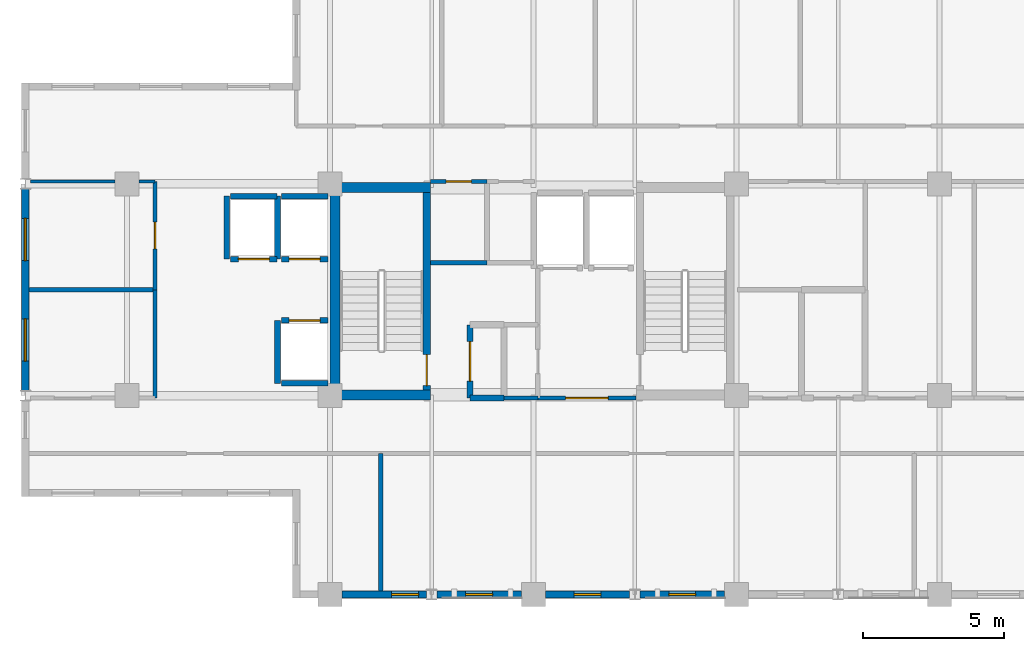
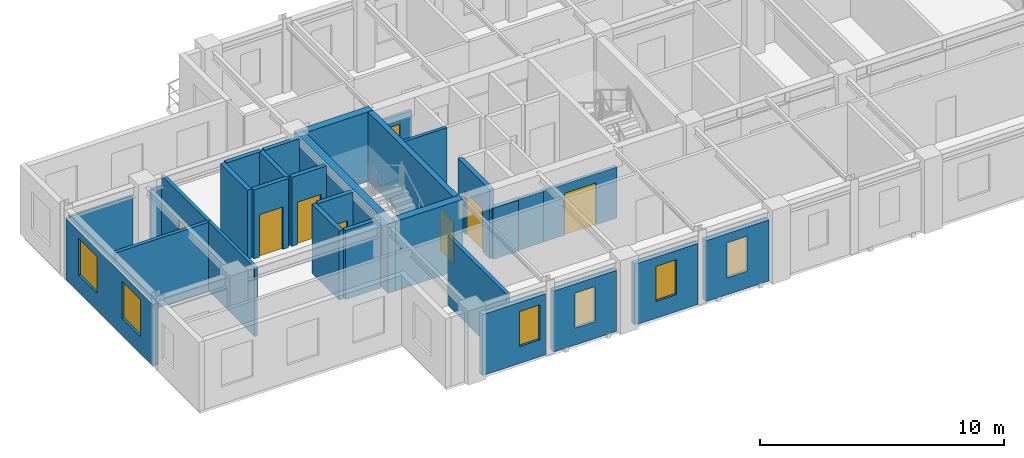
# One storey, part 6 of 10: 30 walls, 8 doors, 6 windows, 14 openings.
"""IFC4 building model written with IfcOpenShell, lengths in metres."""

import ifcopenshell
import ifcopenshell.guid

model = None  # the IFC model being written
_history = None  # IfcOwnerHistory: only IFC2X3 demands one
_inside = {}  # id of a spatial element -> (the spatial element, [elements in it])
_under = {}  # id of a project, library or spatial element -> (it, [spatial elements below it])
_declared = {}  # id of a project -> (the project, [libraries it declares])
_typed = {}  # id of a type object -> (the type object, [elements of that type])
_made_of = {}  # id of a material, layer set ... -> (it, [elements and type objects made of it])


def new_model(schema):
    """Start an empty IFC model of exactly this schema.

    Asked for "IFC4X3", IfcOpenShell would pick the latest addendum, in which some entities
    have other attributes; the version numbers below select the first issue.
    IFC2X3 requires an IfcOwnerHistory on every rooted entity: one is made here for all.
    """
    global model, _history
    if schema == "IFC4X3":
        model = ifcopenshell.file(schema_version=(4, 3, 0, 0))
    else:
        model = ifcopenshell.file(schema=schema)
    _inside.clear()
    _under.clear()
    _declared.clear()
    _typed.clear()
    _made_of.clear()
    _history = None
    if model.schema == "IFC2X3":
        org = make("IfcOrganization", Name="unknown")
        user = make(
            "IfcPersonAndOrganization",
            ThePerson=make("IfcPerson", FamilyName="unknown"),
            TheOrganization=org,
        )
        app = make(
            "IfcApplication",
            ApplicationDeveloper=org,
            Version="unknown",
            ApplicationFullName="unknown",
            ApplicationIdentifier="unknown",
        )
        _history = make(
            "IfcOwnerHistory",
            OwningUser=user,
            OwningApplication=app,
            ChangeAction="ADDED",
            CreationDate=0,
        )
    return model


def make(cls, **values):
    """One entity of the class cls with the attributes given. An attribute that is None is left unset."""
    return model.create_entity(
        cls, **{name: value for name, value in values.items() if value is not None}
    )


def rooted(cls, **values):
    """An entity with a GlobalId (a new one), such as an element, a storey or a relation."""
    return make(cls, GlobalId=ifcopenshell.guid.new(), OwnerHistory=_history, **values)


def si_unit(unit_type, name, prefix=None):
    """IfcSIUnit, for example si_unit("LENGTHUNIT", "METRE", prefix="MILLI")."""
    return make("IfcSIUnit", UnitType=unit_type, Prefix=prefix, Name=name)


def assignment(units):
    """IfcUnitAssignment: the units of a project."""
    return None if units is None else make("IfcUnitAssignment", Units=units)


def point(xyz):
    """IfcCartesianPoint."""
    return None if xyz is None else make("IfcCartesianPoint", Coordinates=xyz)


def direction(xyz):
    """IfcDirection."""
    return None if xyz is None else make("IfcDirection", DirectionRatios=xyz)


def frame(location, z_axis=None, x_axis=None):
    """IfcAxis2Placement3D, a coordinate frame: its origin and axes. An axis left out is left unset."""
    return make(
        "IfcAxis2Placement3D",
        Location=point(location),
        Axis=direction(z_axis),
        RefDirection=direction(x_axis),
    )


def frame_2d(location, x_axis=None):
    """IfcAxis2Placement2D, a coordinate frame in the plane: its origin and x axis."""
    return make(
        "IfcAxis2Placement2D", Location=point(location), RefDirection=direction(x_axis)
    )


def origin():
    """The frame at (0, 0, 0) with its axes left unset."""
    return frame((0.0, 0.0, 0.0))


def place(relative_to, where):
    """IfcLocalPlacement: puts the frame where relative to a parent placement (None: the world)."""
    return make(
        "IfcLocalPlacement", PlacementRelTo=relative_to, RelativePlacement=where
    )


def context(
    kind, dimensions, precision=None, world=None, true_north=None, identifier=None
):
    """IfcGeometricRepresentationContext, for example the 3D "Model" context."""
    return make(
        "IfcGeometricRepresentationContext",
        ContextIdentifier=identifier,
        ContextType=kind,
        CoordinateSpaceDimension=dimensions,
        Precision=precision,
        WorldCoordinateSystem=world,
        TrueNorth=true_north,
    )


def subcontext(parent, identifier, kind, view, scale=None):
    """IfcGeometricRepresentationSubContext, for example "Body" below "Model"."""
    return make(
        "IfcGeometricRepresentationSubContext",
        ContextIdentifier=identifier,
        ContextType=kind,
        ParentContext=parent,
        TargetScale=scale,
        TargetView=view,
    )


def project(units=None, contexts=None):
    """IfcProject with its units and contexts."""
    return rooted(
        "IfcProject",
        Name="project",
        RepresentationContexts=contexts,
        UnitsInContext=assignment(units),
    )


def spatial(cls, under=None, at=None, **own):
    """A site, building, storey or space (cls), placed at a placement, below another one or the project."""
    s = rooted(cls, ObjectPlacement=at, **own)
    if under is not None:
        _under.setdefault(under.id(), (under, []))[1].append(s)
    return s


def profile(cls, at=None, kind="AREA", **sizes):
    """A parametric profile (cls). Its sizes go by their IFC names, for example OverallWidth=200.0."""
    return make(cls, ProfileType=kind, Position=at, **sizes)


def rectangle(**sizes):
    """IfcRectangleProfileDef."""
    return profile("IfcRectangleProfileDef", **sizes)


def extrude(swept, where, along, depth):
    """IfcExtrudedAreaSolid: the profile swept, set in the frame where, extruded along a direction by depth."""
    return make(
        "IfcExtrudedAreaSolid",
        SweptArea=swept,
        Position=where,
        ExtrudedDirection=direction(along),
        Depth=depth,
    )


def shape(context_of_items, identifier, shape_type, items):
    """IfcShapeRepresentation: the items that make up one representation, for example the "Body"."""
    return make(
        "IfcShapeRepresentation",
        ContextOfItems=context_of_items,
        RepresentationIdentifier=identifier,
        RepresentationType=shape_type,
        Items=items,
    )


def material(Name=None, Category=None):
    """IfcMaterial."""
    return make("IfcMaterial", Name=Name, Category=Category)


def layer(
    of_material, thickness, ventilated=None, Name=None, Category=None, Priority=None
):
    """IfcMaterialLayer: one layer of a wall or slab, of a material (None: an air gap)."""
    return make(
        "IfcMaterialLayer",
        Material=of_material,
        LayerThickness=thickness,
        IsVentilated=ventilated,
        Name=Name,
        Category=Category,
        Priority=Priority,
    )


def layer_set(layers, Name=None):
    """IfcMaterialLayerSet."""
    return make("IfcMaterialLayerSet", MaterialLayers=layers, LayerSetName=Name)


def made_of(thing, what):
    """Note that an element or type object is made of a material, layer set ...; save() writes the relation."""
    if what is not None:
        _made_of.setdefault(what.id(), (what, []))[1].append(thing)
    return thing


def type_object(cls, material=None, **own):
    """A type object (cls), such as IfcWallType, which elements share."""
    return made_of(rooted(cls, **own), material)


def element(
    cls,
    number,
    at=None,
    inside=None,
    cuts=None,
    type_object=None,
    material=None,
    context=None,
    identifier="Body",
    shape_type=None,
    held_by="IfcProductDefinitionShape",
    body=None,
    shapes=None,
    **own,
):
    """One element of the class cls, such as IfcWall. Its Tag is "e" and its number.

    at: its placement. inside: the storey or other place that contains it. cuts: it is an
    opening in that element (IfcRelVoidsElement). A single representation is given by context,
    identifier, shape_type and body (its items); several are given by shapes. held_by: the class
    of the entity that holds the representations. save() writes the other relations.
    """
    e = rooted(cls, Tag="e%d" % number, ObjectPlacement=at, **own)
    if body is not None:
        shapes = [shape(context, identifier, shape_type, body)]
    if shapes is not None:
        e.Representation = make(held_by, Representations=shapes)
    if inside is not None:
        _inside.setdefault(inside.id(), (inside, []))[1].append(e)
    if cuts is not None:
        rooted(
            "IfcRelVoidsElement", RelatingBuildingElement=cuts, RelatedOpeningElement=e
        )
    if type_object is not None:
        _typed.setdefault(type_object.id(), (type_object, []))[1].append(e)
    return made_of(e, material)


def fill(opening, filler):
    """IfcRelFillsElement: the door or window that sits in an opening."""
    return rooted(
        "IfcRelFillsElement",
        RelatingOpeningElement=opening,
        RelatedBuildingElement=filler,
    )


def aggregate(whole, parts):
    """IfcRelAggregates: a whole, such as a stair, and the parts it consists of."""
    return rooted("IfcRelAggregates", RelatingObject=whole, RelatedObjects=parts)


def save(model, path):
    """Write the relations noted so far, then the file.

    IfcRelAggregates (storeys below a building ...), IfcRelContainedInSpatialStructure (elements
    in a storey), IfcRelDefinesByType, IfcRelAssociatesMaterial and IfcRelDeclares: one each for
    every whole, place, type object, material and project.
    """
    for whole, parts in _under.values():
        aggregate(whole, parts)
    for where, things in _inside.values():
        rooted(
            "IfcRelContainedInSpatialStructure",
            RelatedElements=things,
            RelatingStructure=where,
        )
    for kind, things in _typed.values():
        rooted("IfcRelDefinesByType", RelatedObjects=things, RelatingType=kind)
    for what, things in _made_of.values():
        rooted("IfcRelAssociatesMaterial", RelatedObjects=things, RelatingMaterial=what)
    for by, libraries in _declared.values():
        rooted("IfcRelDeclares", RelatingContext=by, RelatedDefinitions=libraries)
    model.write(path)


model = new_model("IFC4")

# Units and contexts
model_context = context("Model", 3, precision=1e-05, world=origin(), true_north=direction((0.0, 1.0)))
body_context = subcontext(model_context, "Body", "Model", "MODEL_VIEW")
ifc_project = project(units=[si_unit("LENGTHUNIT", "METRE"), si_unit("AREAUNIT", "SQUARE_METRE"), si_unit("VOLUMEUNIT", "CUBIC_METRE"), si_unit("PLANEANGLEUNIT", "RADIAN"), si_unit("MASSUNIT", "GRAM", prefix="KILO")], contexts=[model_context])

# Site, building, storey
site_placement = place(None, origin())
site = spatial("IfcSite", under=ifc_project, at=site_placement, CompositionType="ELEMENT")
building_placement = place(site_placement, origin())
building = spatial("IfcBuilding", under=site, at=building_placement, Name="Kaliganga Portal Commons", CompositionType="ELEMENT")
storey_placement = place(building_placement, frame((0.0, 0.0, 279.5)))
storey = spatial("IfcBuildingStorey", under=building, at=storey_placement, Name="L72", CompositionType="ELEMENT", Elevation=279.5)

# Walls
ifc_material_1 = material(Name="Concrete C50/60", Category="concrete")
ifc_layer_1 = layer(ifc_material_1, 0.35009765625)
ifc_layer_set_1 = layer_set([ifc_layer_1], Name="Concrete C50/60")
wall_type_1 = type_object("IfcWallType", Name="WL-CORE-350", PredefinedType="SHEAR", material=ifc_layer_set_1)
wall_1_placement = place(storey_placement, frame((14.574951171875, 28.5, 0.0), z_axis=(0.0, 0.0, 1.0), x_axis=(0.0, 1.0, 0.0)))
element("IfcWall", 1, at=wall_1_placement, inside=storey, type_object=wall_type_1, Name="Core A West Shear Wall L72", PredefinedType="SHEAR", context=body_context, shape_type="SweptSolid", body=[
    extrude(rectangle(XDim=7.699951171875, YDim=0.35009765625, at=frame_2d((3.85009765625, 0.0))), origin(), (0.0, 0.0, 1.0), 3.47509765625),
])
for number, where, z_axis, x_axis, name in (
    (2, (14.75, 28.675048828125, 0.0), (0.0, 0.0, 1.0), (1.0, 0.0, 0.0), "Core A S-West Shear Wall L72"),
    (3, (14.75, 36.02490234375, 0.0), (0.0, 0.0, 1.0), (1.0, 0.0, 0.0), "Core A N-West Shear Wall L72"),
):
    element("IfcWall", number, at=place(storey_placement, frame(where, z_axis=z_axis, x_axis=x_axis)), inside=storey, type_object=wall_type_1, Name=name, PredefinedType="SHEAR", context=body_context, shape_type="SweptSolid", body=[
        extrude(rectangle(XDim=3.199951171875, YDim=0.35009765625, at=frame_2d((1.60009765625, 0.0))), origin(), (0.0, 0.0, 1.0), 3.47509765625),
    ])

# Wall, opening, window
ifc_material_2 = material(Name="Insulated Aluminium-Clad Spandrel Assembly", Category="aluminium")
ifc_layer_2 = layer(ifc_material_2, 0.260009765625)
ifc_layer_set_2 = layer_set([ifc_layer_2], Name="Insulated Aluminium-Clad Spandrel Assembly")
wall_type_2 = type_object("IfcWallType", Name="WL-EXT-SPAND-260", PredefinedType="STANDARD", material=ifc_layer_set_2)
wall_2_placement = place(storey_placement, frame((17.81201171875, 21.60009765625, 0.0), z_axis=(0.0, 0.0, 1.0), x_axis=(-1.0, 0.0, 0.0)))
wall_2 = element("IfcWall", 4, at=wall_2_placement, inside=storey, type_object=wall_type_2, Name="Exterior Envelope Wall L72 P1-E00-S2", PredefinedType="STANDARD", context=body_context, shape_type="SweptSolid", body=[
    extrude(rectangle(XDim=2.986083984375, YDim=0.260009765625, at=frame_2d((1.4931640625, 0.0))), origin(), (0.0, 0.0, 1.0), 3.054931640625),
])
opening_1_placement = place(wall_2_placement, frame((0.277587890625, 0.0, 0.85009765625)))
opening_1 = element("IfcOpeningElement", 5, at=opening_1_placement, cuts=wall_2, Name="Opening W-04", PredefinedType="OPENING", context=body_context, shape_type="SweptSolid", body=[
    extrude(rectangle(XDim=0.949951171875, YDim=1.75, at=frame_2d((0.47509765625, 0.875))), frame((0.0, 0.14013671875, 0.0), z_axis=(0.0, -1.0, 0.0), x_axis=(1.0, 0.0, 0.0)), (0.0, 0.0, 1.0), 0.280029296875),
])
ifc_material_3 = material(Name="Thermally Broken Aluminium and Low-E Double Glazing", Category="aluminium")
window_type_1 = type_object("IfcWindowType", Name="WIN-NARROW-950", PartitioningType="SINGLE_PANEL", PredefinedType="WINDOW", material=ifc_material_3)
window_1_placement = place(opening_1_placement, origin())
window_1 = element("IfcWindow", 6, at=window_1_placement, inside=storey, type_object=window_type_1, Name="Facade Window L72-P1E00S2-N1", OverallHeight=1.75, OverallWidth=0.949951171875, PartitioningType="SINGLE_PANEL", PredefinedType="WINDOW", context=body_context, shape_type="SweptSolid", body=[
    extrude(rectangle(XDim=0.949951171875, YDim=1.75, at=frame_2d((0.47509765625, 0.875))), frame((0.0, 0.030029296875, 0.0), z_axis=(0.0, -1.0, 0.0), x_axis=(1.0, 0.0, 0.0)), (0.0, 0.0, 1.0), 0.06005859375),
])
fill(opening_1, window_1)

wall_3_placement = place(storey_placement, frame((21.174072265625, 21.60009765625, 0.0), z_axis=(0.0, 0.0, 1.0), x_axis=(-1.0, 0.0, 0.0)))
wall_3 = element("IfcWall", 7, at=wall_3_placement, inside=storey, type_object=wall_type_2, Name="Exterior Envelope Wall L72 P1-E00-S3", PredefinedType="STANDARD", context=body_context, shape_type="SweptSolid", body=[
    extrude(rectangle(XDim=2.986083984375, YDim=0.260009765625, at=frame_2d((1.4931640625, 0.0))), origin(), (0.0, 0.0, 1.0), 3.054931640625),
])
opening_2_placement = place(wall_3_placement, frame((1.01806640625, 0.0, 0.85009765625)))
opening_2 = element("IfcOpeningElement", 8, at=opening_2_placement, cuts=wall_3, Name="Opening W-04", PredefinedType="OPENING", context=body_context, shape_type="SweptSolid", body=[
    extrude(rectangle(XDim=0.949951171875, YDim=1.75, at=frame_2d((0.47509765625, 0.875))), frame((0.0, 0.14013671875, 0.0), z_axis=(0.0, -1.0, 0.0), x_axis=(1.0, 0.0, 0.0)), (0.0, 0.0, 1.0), 0.280029296875),
])
window_2_placement = place(opening_2_placement, origin())
window_2 = element("IfcWindow", 9, at=window_2_placement, inside=storey, type_object=window_type_1, Name="Facade Window L72-P1E00S3-00", OverallHeight=1.75, OverallWidth=0.949951171875, PartitioningType="SINGLE_PANEL", PredefinedType="WINDOW", context=body_context, shape_type="SweptSolid", body=[
    extrude(rectangle(XDim=0.949951171875, YDim=1.75, at=frame_2d((0.47509765625, 0.875))), frame((0.0, 0.030029296875, 0.0), z_axis=(0.0, -1.0, 0.0), x_axis=(1.0, 0.0, 0.0)), (0.0, 0.0, 1.0), 0.06005859375),
])
fill(opening_2, window_2)

wall_4_placement = place(storey_placement, frame((25.011962890625, 21.60009765625, 0.0), z_axis=(0.0, 0.0, 1.0), x_axis=(-1.0, 0.0, 0.0)))
wall_4 = element("IfcWall", 10, at=wall_4_placement, inside=storey, type_object=wall_type_2, Name="Exterior Envelope Wall L72 P1-E00-S4", PredefinedType="STANDARD", context=body_context, shape_type="SweptSolid", body=[
    extrude(rectangle(XDim=2.986083984375, YDim=0.260009765625, at=frame_2d((1.4931640625, 0.0))), origin(), (0.0, 0.0, 1.0), 3.054931640625),
])
opening_3_placement = place(wall_4_placement, frame((1.01806640625, 0.0, 0.85009765625)))
opening_3 = element("IfcOpeningElement", 11, at=opening_3_placement, cuts=wall_4, Name="Opening W-04", PredefinedType="OPENING", context=body_context, shape_type="SweptSolid", body=[
    extrude(rectangle(XDim=0.949951171875, YDim=1.75, at=frame_2d((0.47509765625, 0.875))), frame((0.0, 0.14013671875, 0.0), z_axis=(0.0, -1.0, 0.0), x_axis=(1.0, 0.0, 0.0)), (0.0, 0.0, 1.0), 0.280029296875),
])
window_3_placement = place(opening_3_placement, origin())
window_3 = element("IfcWindow", 12, at=window_3_placement, inside=storey, type_object=window_type_1, Name="Facade Window L72-P1E00S4-00", OverallHeight=1.75, OverallWidth=0.949951171875, PartitioningType="SINGLE_PANEL", PredefinedType="WINDOW", context=body_context, shape_type="SweptSolid", body=[
    extrude(rectangle(XDim=0.949951171875, YDim=1.75, at=frame_2d((0.47509765625, 0.875))), frame((0.0, 0.030029296875, 0.0), z_axis=(0.0, -1.0, 0.0), x_axis=(1.0, 0.0, 0.0)), (0.0, 0.0, 1.0), 0.06005859375),
])
fill(opening_3, window_3)

wall_5_placement = place(storey_placement, frame((28.3740234375, 21.60009765625, 0.0), z_axis=(0.0, 0.0, 1.0), x_axis=(-1.0, 0.0, 0.0)))
wall_5 = element("IfcWall", 13, at=wall_5_placement, inside=storey, type_object=wall_type_2, Name="Exterior Envelope Wall L72 P1-E00-S5", PredefinedType="STANDARD", context=body_context, shape_type="SweptSolid", body=[
    extrude(rectangle(XDim=2.986083984375, YDim=0.260009765625, at=frame_2d((1.4931640625, 0.0))), origin(), (0.0, 0.0, 1.0), 3.054931640625),
])
opening_4_placement = place(wall_5_placement, frame((1.01806640625, 0.0, 0.85009765625)))
opening_4 = element("IfcOpeningElement", 14, at=opening_4_placement, cuts=wall_5, Name="Opening W-04", PredefinedType="OPENING", context=body_context, shape_type="SweptSolid", body=[
    extrude(rectangle(XDim=0.949951171875, YDim=1.75, at=frame_2d((0.47509765625, 0.875))), frame((0.0, 0.14013671875, 0.0), z_axis=(0.0, -1.0, 0.0), x_axis=(1.0, 0.0, 0.0)), (0.0, 0.0, 1.0), 0.280029296875),
])
window_4_placement = place(opening_4_placement, origin())
window_4 = element("IfcWindow", 15, at=window_4_placement, inside=storey, type_object=window_type_1, Name="Facade Window L72-P1E00S5-00", OverallHeight=1.75, OverallWidth=0.949951171875, PartitioningType="SINGLE_PANEL", PredefinedType="WINDOW", context=body_context, shape_type="SweptSolid", body=[
    extrude(rectangle(XDim=0.949951171875, YDim=1.75, at=frame_2d((0.47509765625, 0.875))), frame((0.0, 0.030029296875, 0.0), z_axis=(0.0, -1.0, 0.0), x_axis=(1.0, 0.0, 0.0)), (0.0, 0.0, 1.0), 0.06005859375),
])
fill(opening_4, window_4)

# Wall, openings, windows
wall_6_placement = place(storey_placement, frame((3.60009765625, 28.8369140625, 0.0), z_axis=(0.0, 0.0, 1.0), x_axis=(0.0, 1.0, 0.0)))
wall_6 = element("IfcWall", 16, at=wall_6_placement, inside=storey, type_object=wall_type_2, Name="Exterior Envelope Wall L72 P1-E05-S2", PredefinedType="STANDARD", context=body_context, shape_type="SweptSolid", body=[
    extrude(rectangle(XDim=7.1259765625, YDim=0.260009765625, at=frame_2d((3.56298828125, 0.0))), origin(), (0.0, 0.0, 1.0), 3.054931640625),
])
opening_5_placement = place(wall_6_placement, frame((1.031494140625, 0.0, 0.85009765625)))
opening_5 = element("IfcOpeningElement", 17, at=opening_5_placement, cuts=wall_6, Name="Opening W-02", PredefinedType="OPENING", context=body_context, shape_type="SweptSolid", body=[
    extrude(rectangle(XDim=1.5, YDim=1.85009765625, at=frame_2d((0.75, 0.925048828125))), frame((0.0, 0.14013671875, 0.0), z_axis=(0.0, -1.0, 0.0), x_axis=(1.0, 0.0, 0.0)), (0.0, 0.0, 1.0), 0.280029296875),
])
opening_6_placement = place(wall_6_placement, frame((4.594482421875, 0.0, 0.85009765625)))
opening_6 = element("IfcOpeningElement", 18, at=opening_6_placement, cuts=wall_6, Name="Opening W-02", PredefinedType="OPENING", context=body_context, shape_type="SweptSolid", body=[
    extrude(rectangle(XDim=1.5, YDim=1.85009765625, at=frame_2d((0.75, 0.925048828125))), frame((0.0, 0.14013671875, 0.0), z_axis=(0.0, -1.0, 0.0), x_axis=(1.0, 0.0, 0.0)), (0.0, 0.0, 1.0), 0.280029296875),
])
window_type_2 = type_object("IfcWindowType", Name="WIN-STD-1500", PartitioningType="DOUBLE_PANEL_VERTICAL", PredefinedType="WINDOW", material=ifc_material_3)
window_5_placement = place(opening_5_placement, origin())
window_5 = element("IfcWindow", 19, at=window_5_placement, inside=storey, type_object=window_type_2, Name="Facade Window L72-P1E05S2-00", OverallHeight=1.85009765625, OverallWidth=1.5, PartitioningType="SINGLE_PANEL", PredefinedType="WINDOW", context=body_context, shape_type="SweptSolid", body=[
    extrude(rectangle(XDim=1.5, YDim=1.85009765625, at=frame_2d((0.75, 0.925048828125))), frame((0.0, 0.030029296875, 0.0), z_axis=(0.0, -1.0, 0.0), x_axis=(1.0, 0.0, 0.0)), (0.0, 0.0, 1.0), 0.06005859375),
])
fill(opening_5, window_5)
window_6_placement = place(opening_6_placement, origin())
window_6 = element("IfcWindow", 20, at=window_6_placement, inside=storey, type_object=window_type_2, Name="Facade Window L72-P1E05S2-01", OverallHeight=1.85009765625, OverallWidth=1.5, PartitioningType="SINGLE_PANEL", PredefinedType="WINDOW", context=body_context, shape_type="SweptSolid", body=[
    extrude(rectangle(XDim=1.5, YDim=1.85009765625, at=frame_2d((0.75, 0.925048828125))), frame((0.0, 0.030029296875, 0.0), z_axis=(0.0, -1.0, 0.0), x_axis=(1.0, 0.0, 0.0)), (0.0, 0.0, 1.0), 0.06005859375),
])
fill(opening_6, window_6)

# Wall, opening, door
ifc_material_4 = material(Name="Fire-Rated Gypsum Board on Steel Stud", Category="steel")
ifc_layer_3 = layer(ifc_material_4, 0.14990234375)
ifc_layer_set_3 = layer_set([ifc_layer_3], Name="Fire-Rated Gypsum Board on Steel Stud")
wall_type_3 = type_object("IfcWallType", Name="WL-PART-CORR-150", PredefinedType="PARTITIONING", material=ifc_layer_set_3)
wall_7_placement = place(storey_placement, frame((8.199951171875, 32.39990234375, 0.0), z_axis=(0.0, 0.0, 1.0), x_axis=(0.0, 1.0, 0.0)))
wall_7 = element("IfcWall", 21, at=wall_7_placement, inside=storey, type_object=wall_type_3, Name="Interior Partition L72-018", PredefinedType="PARTITIONING", context=body_context, shape_type="SweptSolid", body=[
    extrude(rectangle(XDim=3.840087890625, YDim=0.14990234375, at=frame_2d((1.919921875, 0.0))), origin(), (0.0, 0.0, 1.0), 3.455078125),
])
opening_7_placement = place(wall_7_placement, frame((1.445068359375, 0.0, 0.0)))
opening_7 = element("IfcOpeningElement", 22, at=opening_7_placement, cuts=wall_7, Name="Opening UD-01", PredefinedType="OPENING", context=body_context, shape_type="SweptSolid", body=[
    extrude(rectangle(XDim=0.949951171875, YDim=2.10009765625, at=frame_2d((0.47509765625, 1.050048828125))), frame((0.0, 0.0849609375, 0.0), z_axis=(0.0, -1.0, 0.0), x_axis=(1.0, 0.0, 0.0)), (0.0, 0.0, 1.0), 0.169921875),
])
ifc_material_5 = material(Name="Solid-Core Timber Acoustic Fire Door", Category="wood")
door_type_1 = type_object("IfcDoorType", Name="DR-UNIT-950", OperationType="NOTDEFINED", PredefinedType="DOOR", material=ifc_material_5)
door_1_placement = place(opening_7_placement, origin())
door_1 = element("IfcDoor", 23, at=door_1_placement, inside=storey, type_object=door_type_1, Name="Interior Door L72-AW02", OperationType="SINGLE_SWING_LEFT", OverallHeight=2.10009765625, OverallWidth=0.949951171875, PredefinedType="DOOR", context=body_context, shape_type="SweptSolid", body=[
    extrude(rectangle(XDim=0.949951171875, YDim=2.10009765625, at=frame_2d((0.47509765625, 1.050048828125))), frame((0.0, 0.02490234375, 0.0), z_axis=(0.0, -1.0, 0.0), x_axis=(1.0, 0.0, 0.0)), (0.0, 0.0, 1.0), 0.050048828125),
])
fill(opening_7, door_1)

# Walls
wall_8_placement = place(storey_placement, frame((8.199951171875, 28.56005859375, 0.0), z_axis=(0.0, 0.0, 1.0), x_axis=(0.0, 1.0, 0.0)))
element("IfcWall", 24, at=wall_8_placement, inside=storey, type_object=wall_type_3, Name="Interior Partition L72-019", PredefinedType="PARTITIONING", context=body_context, shape_type="SweptSolid", body=[
    extrude(rectangle(XDim=3.83984375, YDim=0.14990234375, at=frame_2d((1.919921875, 0.0))), origin(), (0.0, 0.0, 1.0), 3.455078125),
])
wall_9_placement = place(storey_placement, frame((17.9599609375, 33.360107421875, 0.0), z_axis=(0.0, 0.0, 1.0), x_axis=(1.0, 0.0, 0.0)))
element("IfcWall", 25, at=wall_9_placement, inside=storey, type_object=wall_type_3, Name="Interior Partition L72-027", PredefinedType="PARTITIONING", context=body_context, shape_type="SweptSolid", body=[
    extrude(rectangle(XDim=2.0, YDim=0.14990234375, at=frame_2d((1.0, 0.0))), origin(), (0.0, 0.0, 1.0), 3.455078125),
])

# Wall, opening, door
wall_10_placement = place(storey_placement, frame((17.9599609375, 36.239990234375, 0.0), z_axis=(0.0, 0.0, 1.0), x_axis=(1.0, 0.0, 0.0)))
wall_10 = element("IfcWall", 26, at=wall_10_placement, inside=storey, type_object=wall_type_3, Name="Interior Partition L72-028", PredefinedType="PARTITIONING", context=body_context, shape_type="SweptSolid", body=[
    extrude(rectangle(XDim=2.0, YDim=0.14990234375, at=frame_2d((1.0, 0.0))), origin(), (0.0, 0.0, 1.0), 2.554931640625),
])
opening_8_placement = place(wall_10_placement, frame((0.550048828125, 0.0, 0.0)))
opening_8 = element("IfcOpeningElement", 27, at=opening_8_placement, cuts=wall_10, Name="Opening RD-01", PredefinedType="OPENING", context=body_context, shape_type="SweptSolid", body=[
    extrude(rectangle(XDim=0.89990234375, YDim=2.080078125, at=frame_2d((0.449951171875, 1.0400390625))), frame((0.0, 0.0849609375, 0.0), z_axis=(0.0, -1.0, 0.0), x_axis=(1.0, 0.0, 0.0)), (0.0, 0.0, 1.0), 0.169921875),
])
ifc_material_6 = material(Name="Engineered Timber Flush Door", Category="wood")
door_type_2 = type_object("IfcDoorType", Name="DR-ROOM-900", OperationType="NOTDEFINED", PredefinedType="DOOR", material=ifc_material_6)
door_2_placement = place(opening_8_placement, origin())
door_2 = element("IfcDoor", 28, at=door_2_placement, inside=storey, type_object=door_type_2, Name="Interior Door L72-CREC_A1", OperationType="SINGLE_SWING_RIGHT", OverallHeight=2.080078125, OverallWidth=0.89990234375, PredefinedType="DOOR", context=body_context, shape_type="SweptSolid", body=[
    extrude(rectangle(XDim=0.89990234375, YDim=2.080078125, at=frame_2d((0.449951171875, 1.0400390625))), frame((0.0, 0.02490234375, 0.0), z_axis=(0.0, -1.0, 0.0), x_axis=(1.0, 0.0, 0.0)), (0.0, 0.0, 1.0), 0.050048828125),
])
fill(opening_8, door_2)

# Wall
wall_11_placement = place(storey_placement, frame((20.56005859375, 28.56005859375, 0.0), z_axis=(0.0, 0.0, 1.0), x_axis=(1.0, 0.0, 0.0)))
element("IfcWall", 29, at=wall_11_placement, inside=storey, type_object=wall_type_3, Name="Interior Partition L72-032", PredefinedType="PARTITIONING", context=body_context, shape_type="SweptSolid", body=[
    extrude(rectangle(XDim=1.199951171875, YDim=0.14990234375, at=frame_2d((0.60009765625, 0.0))), origin(), (0.0, 0.0, 1.0), 2.554931640625),
])

# Wall, opening, door
wall_12_placement = place(storey_placement, frame((21.760009765625, 28.56005859375, 0.0), z_axis=(0.0, 0.0, 1.0), x_axis=(1.0, 0.0, 0.0)))
wall_12 = element("IfcWall", 30, at=wall_12_placement, inside=storey, type_object=wall_type_3, Name="Interior Partition L72-053", PredefinedType="PARTITIONING", context=body_context, shape_type="SweptSolid", body=[
    extrude(rectangle(XDim=3.47998046875, YDim=0.14990234375, at=frame_2d((1.739990234375, 0.0))), origin(), (0.0, 0.0, 1.0), 2.554931640625),
])
opening_9_placement = place(wall_12_placement, frame((0.989990234375, 0.0, 0.0)))
opening_9 = element("IfcOpeningElement", 31, at=opening_9_placement, cuts=wall_12, Name="Opening FD-01", PredefinedType="OPENING", context=body_context, shape_type="SweptSolid", body=[
    extrude(rectangle(XDim=1.5, YDim=2.10009765625, at=frame_2d((0.75, 1.050048828125))), frame((0.0, 0.0849609375, 0.0), z_axis=(0.0, -1.0, 0.0), x_axis=(1.0, 0.0, 0.0)), (0.0, 0.0, 1.0), 0.169921875),
])
ifc_material_7 = material(Name="Fire-Rated Hardwood and Georgian-Wired Vision Panel", Category="wood")
door_type_3 = type_object("IfcDoorType", Name="DR-LOBBY-1500", OperationType="DOUBLE_DOOR_SINGLE_SWING", PredefinedType="DOOR", material=ifc_material_7)
door_3_placement = place(opening_9_placement, origin())
door_3 = element("IfcDoor", 32, at=door_3_placement, inside=storey, type_object=door_type_3, Name="Interior Door L72-FFLOB_A", OperationType="DOUBLE_DOOR_SINGLE_SWING", OverallHeight=2.10009765625, OverallWidth=1.5, PredefinedType="DOOR", context=body_context, shape_type="SweptSolid", body=[
    extrude(rectangle(XDim=1.5, YDim=2.10009765625, at=frame_2d((0.75, 1.050048828125))), frame((0.0, 0.02490234375, 0.0), z_axis=(0.0, -1.0, 0.0), x_axis=(1.0, 0.0, 0.0)), (0.0, 0.0, 1.0), 0.050048828125),
])
fill(opening_9, door_3)

ifc_material_8 = material(Name="Lightweight blockwork masonry", Category="masonry")
ifc_layer_4 = layer(ifc_material_8, 0.215087890625)
ifc_layer_set_4 = layer_set([ifc_layer_4], Name="Lightweight blockwork masonry")
wall_type_4 = type_object("IfcWallType", Name="WL-PART-PLANT-215", PredefinedType="PARTITIONING", material=ifc_layer_set_4)
wall_13_placement = place(storey_placement, frame((19.360107421875, 28.56005859375, 0.0), z_axis=(0.0, 0.0, 1.0), x_axis=(0.0, 1.0, 0.0)))
wall_13 = element("IfcWall", 33, at=wall_13_placement, inside=storey, type_object=wall_type_4, Name="Interior Partition L72-022", PredefinedType="PARTITIONING", context=body_context, shape_type="SweptSolid", body=[
    extrude(rectangle(XDim=2.599853515625, YDim=0.215087890625, at=frame_2d((1.2998046875, 0.0))), origin(), (0.0, 0.0, 1.0), 3.455078125),
])
opening_10_placement = place(wall_13_placement, frame((0.60009765625, 0.0, 0.0)))
opening_10 = element("IfcOpeningElement", 34, at=opening_10_placement, cuts=wall_13, Name="Opening PD-01", PredefinedType="OPENING", context=body_context, shape_type="SweptSolid", body=[
    extrude(rectangle(XDim=1.39990234375, YDim=2.14990234375, at=frame_2d((0.699951171875, 1.074951171875))), frame((0.0, 0.11767578125, 0.0), z_axis=(0.0, -1.0, 0.0), x_axis=(1.0, 0.0, 0.0)), (0.0, 0.0, 1.0), 0.235107421875),
])
ifc_material_9 = material(Name="Heavy-Duty Steel Acoustic Louvre Fire Door", Category="steel")
door_type_4 = type_object("IfcDoorType", Name="DR-PLANT-1400", OperationType="DOUBLE_DOOR_SINGLE_SWING", PredefinedType="DOOR", material=ifc_material_9)
door_4_placement = place(opening_10_placement, origin())
door_4 = element("IfcDoor", 35, at=door_4_placement, inside=storey, type_object=door_type_4, Name="Interior Door L72-CIN_A1", OperationType="DOUBLE_DOOR_SINGLE_SWING", OverallHeight=2.14990234375, OverallWidth=1.39990234375, PredefinedType="DOOR", context=body_context, shape_type="SweptSolid", body=[
    extrude(rectangle(XDim=1.39990234375, YDim=2.14990234375, at=frame_2d((0.699951171875, 1.074951171875))), frame((0.0, 0.02490234375, 0.0), z_axis=(0.0, -1.0, 0.0), x_axis=(1.0, 0.0, 0.0)), (0.0, 0.0, 1.0), 0.050048828125),
])
fill(opening_10, door_4)

# Walls
wall_14_placement = place(storey_placement, frame((19.360107421875, 28.56005859375, 0.0), z_axis=(0.0, 0.0, 1.0), x_axis=(1.0, 0.0, 0.0)))
element("IfcWall", 36, at=wall_14_placement, inside=storey, type_object=wall_type_4, Name="Interior Partition L72-034", PredefinedType="PARTITIONING", context=body_context, shape_type="SweptSolid", body=[
    extrude(rectangle(XDim=1.199951171875, YDim=0.215087890625, at=frame_2d((0.60009765625, 0.0))), origin(), (0.0, 0.0, 1.0), 2.554931640625),
])
ifc_material_10 = material(Name="Moisture-Resistant Gypsum Partition", Category="gypsum")
ifc_layer_5 = layer(ifc_material_10, 0.114990234375)
ifc_layer_set_5 = layer_set([ifc_layer_5], Name="Moisture-Resistant Gypsum Partition")
wall_type_5 = type_object("IfcWallType", Name="WL-PART-ROOM-115", PredefinedType="PARTITIONING", material=ifc_layer_set_5)
wall_15_placement = place(storey_placement, frame((3.787109375, 36.239990234375, 0.0), z_axis=(0.0, 0.0, 1.0), x_axis=(1.0, 0.0, 0.0)))
element("IfcWall", 37, at=wall_15_placement, inside=storey, type_object=wall_type_5, Name="Interior Partition L72-048", PredefinedType="PARTITIONING", context=body_context, shape_type="SweptSolid", body=[
    extrude(rectangle(XDim=2.98779296875, YDim=0.114990234375, at=frame_2d((1.493896484375, 0.0))), origin(), (0.0, 0.0, 1.0), 2.905029296875),
])
wall_16_placement = place(storey_placement, frame((7.625, 36.239990234375, 0.0), z_axis=(0.0, 0.0, 1.0), x_axis=(1.0, 0.0, 0.0)))
element("IfcWall", 38, at=wall_16_placement, inside=storey, type_object=wall_type_5, Name="Interior Partition L72-049", PredefinedType="PARTITIONING", context=body_context, shape_type="SweptSolid", body=[
    extrude(rectangle(XDim=0.574951171875, YDim=0.114990234375, at=frame_2d((0.28759765625, 0.0))), origin(), (0.0, 0.0, 1.0), 2.905029296875),
])
ifc_material_11 = material(Name="Twin-Stud Acoustic Gypsum Partition", Category="gypsum")
ifc_layer_6 = layer(ifc_material_11, 0.1650390625)
ifc_layer_set_6 = layer_set([ifc_layer_6], Name="Twin-Stud Acoustic Gypsum Partition")
wall_type_6 = type_object("IfcWallType", Name="WL-PART-UNIT-165", PredefinedType="PARTITIONING", material=ifc_layer_set_6)
wall_17_placement = place(storey_placement, frame((16.199951171875, 21.73193359375, 0.0), z_axis=(0.0, 0.0, 1.0), x_axis=(0.0, 1.0, 0.0)))
element("IfcWall", 39, at=wall_17_placement, inside=storey, type_object=wall_type_6, Name="Interior Partition L72-039", PredefinedType="PARTITIONING", context=body_context, shape_type="SweptSolid", body=[
    extrude(rectangle(XDim=4.8681640625, YDim=0.1650390625, at=frame_2d((2.43408203125, 0.0))), origin(), (0.0, 0.0, 1.0), 3.455078125),
])
wall_18_placement = place(storey_placement, frame((3.73193359375, 32.39990234375, 0.0), z_axis=(0.0, 0.0, 1.0), x_axis=(1.0, 0.0, 0.0)))
element("IfcWall", 40, at=wall_18_placement, inside=storey, type_object=wall_type_6, Name="Interior Partition L72-047", PredefinedType="PARTITIONING", context=body_context, shape_type="SweptSolid", body=[
    extrude(rectangle(XDim=4.468017578125, YDim=0.1650390625, at=frame_2d((2.23388671875, 0.0))), origin(), (0.0, 0.0, 1.0), 3.455078125),
])

# Wall, opening, door
ifc_material_12 = material(Name="Fire-Rated Shaftwall Masonry Assembly", Category="masonry")
ifc_layer_7 = layer(ifc_material_12, 0.199951171875)
ifc_layer_set_7 = layer_set([ifc_layer_7], Name="Fire-Rated Shaftwall Masonry Assembly")
wall_type_7 = type_object("IfcWallType", Name="WL-SHAFT-200", PredefinedType="PARTITIONING", material=ifc_layer_set_7)
wall_19_placement = place(storey_placement, frame((12.675048828125, 33.485107421875, 0.0), z_axis=(0.0, 0.0, 1.0), x_axis=(1.0, 0.0, 0.0)))
wall_19 = element("IfcWall", 41, at=wall_19_placement, inside=storey, type_object=wall_type_7, Name="Lift PL-A3 Hoistway Shaft Wall L72-S", PredefinedType="PARTITIONING", context=body_context, shape_type="SweptSolid", body=[
    extrude(rectangle(XDim=1.64990234375, YDim=0.199951171875, at=frame_2d((0.824951171875, 0.0))), origin(), (0.0, 0.0, 1.0), 3.455078125),
])
opening_11_placement = place(wall_19_placement, frame((0.27490234375, 0.0, 0.0)))
opening_11 = element("IfcOpeningElement", 42, at=opening_11_placement, cuts=wall_19, Name="Opening LD-01", PredefinedType="OPENING", context=body_context, shape_type="SweptSolid", body=[
    extrude(rectangle(XDim=1.10009765625, YDim=2.1201171875, at=frame_2d((0.550048828125, 1.06005859375))), frame((0.0, 0.10986328125, 0.0), z_axis=(0.0, -1.0, 0.0), x_axis=(1.0, 0.0, 0.0)), (0.0, 0.0, 1.0), 0.219970703125),
])
ifc_material_13 = material(Name="Brushed Stainless Steel 316 Lift Landing Door", Category="steel")
door_type_5 = type_object("IfcDoorType", Name="DR-LIFT-1100", OperationType="SLIDING_TO_LEFT", PredefinedType="DOOR", material=ifc_material_13)
door_5_placement = place(opening_11_placement, origin())
door_5 = element("IfcDoor", 43, at=door_5_placement, inside=storey, type_object=door_type_5, Name="Lift PL-A3 Sliding Landing Door L72", OperationType="SLIDING_TO_LEFT", OverallHeight=2.1201171875, OverallWidth=1.10009765625, PredefinedType="DOOR", context=body_context, shape_type="SweptSolid", body=[
    extrude(rectangle(XDim=1.10009765625, YDim=2.1201171875, at=frame_2d((0.550048828125, 1.06005859375))), frame((0.0, 0.02490234375, 0.0), z_axis=(0.0, -1.0, 0.0), x_axis=(1.0, 0.0, 0.0)), (0.0, 0.0, 1.0), 0.050048828125),
])
fill(opening_11, door_5)

# Walls
wall_20_placement = place(storey_placement, frame((12.675048828125, 35.715087890625, 0.0), z_axis=(0.0, 0.0, 1.0), x_axis=(1.0, 0.0, 0.0)))
element("IfcWall", 44, at=wall_20_placement, inside=storey, type_object=wall_type_7, Name="Lift PL-A3 Hoistway Shaft Wall L72-N", PredefinedType="PARTITIONING", context=body_context, shape_type="SweptSolid", body=[
    extrude(rectangle(XDim=1.64990234375, YDim=0.199951171875, at=frame_2d((0.824951171875, 0.0))), origin(), (0.0, 0.0, 1.0), 3.455078125),
])
wall_21_placement = place(storey_placement, frame((12.534912109375, 33.485107421875, 0.0), z_axis=(0.0, 0.0, 1.0), x_axis=(0.0, 1.0, 0.0)))
element("IfcWall", 45, at=wall_21_placement, inside=storey, type_object=wall_type_7, Name="Lift PL-A3 Hoistway Shaft Wall L72-W", PredefinedType="PARTITIONING", context=body_context, shape_type="SweptSolid", body=[
    extrude(rectangle(XDim=2.22998046875, YDim=0.199951171875, at=frame_2d((1.114990234375, 0.0))), origin(), (0.0, 0.0, 1.0), 3.455078125),
])
wall_22_placement = place(storey_placement, frame((12.675048828125, 29.0849609375, 0.0), z_axis=(0.0, 0.0, 1.0), x_axis=(1.0, 0.0, 0.0)))
element("IfcWall", 46, at=wall_22_placement, inside=storey, type_object=wall_type_7, Name="Lift PL-A4 Hoistway Shaft Wall L72-S", PredefinedType="PARTITIONING", context=body_context, shape_type="SweptSolid", body=[
    extrude(rectangle(XDim=1.64990234375, YDim=0.199951171875, at=frame_2d((0.824951171875, 0.0))), origin(), (0.0, 0.0, 1.0), 3.455078125),
])

# Wall, opening, door
wall_23_placement = place(storey_placement, frame((12.675048828125, 31.31494140625, 0.0), z_axis=(0.0, 0.0, 1.0), x_axis=(1.0, 0.0, 0.0)))
wall_23 = element("IfcWall", 47, at=wall_23_placement, inside=storey, type_object=wall_type_7, Name="Lift PL-A4 Hoistway Shaft Wall L72-N", PredefinedType="PARTITIONING", context=body_context, shape_type="SweptSolid", body=[
    extrude(rectangle(XDim=1.64990234375, YDim=0.199951171875, at=frame_2d((0.824951171875, 0.0))), origin(), (0.0, 0.0, 1.0), 3.455078125),
])
opening_12_placement = place(wall_23_placement, frame((0.27490234375, 0.0, 0.0)))
opening_12 = element("IfcOpeningElement", 48, at=opening_12_placement, cuts=wall_23, Name="Opening LD-01", PredefinedType="OPENING", context=body_context, shape_type="SweptSolid", body=[
    extrude(rectangle(XDim=1.10009765625, YDim=2.1201171875, at=frame_2d((0.550048828125, 1.06005859375))), frame((0.0, 0.10986328125, 0.0), z_axis=(0.0, -1.0, 0.0), x_axis=(1.0, 0.0, 0.0)), (0.0, 0.0, 1.0), 0.219970703125),
])
door_6_placement = place(opening_12_placement, origin())
door_6 = element("IfcDoor", 49, at=door_6_placement, inside=storey, type_object=door_type_5, Name="Lift PL-A4 Sliding Landing Door L72", OperationType="SLIDING_TO_LEFT", OverallHeight=2.1201171875, OverallWidth=1.10009765625, PredefinedType="DOOR", context=body_context, shape_type="SweptSolid", body=[
    extrude(rectangle(XDim=1.10009765625, YDim=2.1201171875, at=frame_2d((0.550048828125, 1.06005859375))), frame((0.0, 0.02490234375, 0.0), z_axis=(0.0, -1.0, 0.0), x_axis=(1.0, 0.0, 0.0)), (0.0, 0.0, 1.0), 0.050048828125),
])
fill(opening_12, door_6)

# Wall
wall_24_placement = place(storey_placement, frame((12.534912109375, 29.0849609375, 0.0), z_axis=(0.0, 0.0, 1.0), x_axis=(0.0, 1.0, 0.0)))
element("IfcWall", 50, at=wall_24_placement, inside=storey, type_object=wall_type_7, Name="Lift PL-A4 Hoistway Shaft Wall L72-W", PredefinedType="PARTITIONING", context=body_context, shape_type="SweptSolid", body=[
    extrude(rectangle(XDim=2.22998046875, YDim=0.199951171875, at=frame_2d((1.114990234375, 0.0))), origin(), (0.0, 0.0, 1.0), 3.455078125),
])

# Wall, opening, door
wall_25_placement = place(storey_placement, frame((10.875, 33.485107421875, 0.0), z_axis=(0.0, 0.0, 1.0), x_axis=(1.0, 0.0, 0.0)))
wall_25 = element("IfcWall", 51, at=wall_25_placement, inside=storey, type_object=wall_type_7, Name="Lift PL-OBS Hoistway Shaft Wall L72-S", PredefinedType="PARTITIONING", context=body_context, shape_type="SweptSolid", body=[
    extrude(rectangle(XDim=1.64990234375, YDim=0.199951171875, at=frame_2d((0.824951171875, 0.0))), origin(), (0.0, 0.0, 1.0), 3.455078125),
])
opening_13_placement = place(wall_25_placement, frame((0.27490234375, 0.0, 0.0)))
opening_13 = element("IfcOpeningElement", 52, at=opening_13_placement, cuts=wall_25, Name="Opening LD-01", PredefinedType="OPENING", context=body_context, shape_type="SweptSolid", body=[
    extrude(rectangle(XDim=1.10009765625, YDim=2.1201171875, at=frame_2d((0.550048828125, 1.06005859375))), frame((0.0, 0.10986328125, 0.0), z_axis=(0.0, -1.0, 0.0), x_axis=(1.0, 0.0, 0.0)), (0.0, 0.0, 1.0), 0.219970703125),
])
door_7_placement = place(opening_13_placement, origin())
door_7 = element("IfcDoor", 53, at=door_7_placement, inside=storey, type_object=door_type_5, Name="Lift PL-OBS Sliding Landing Door L72", OperationType="SLIDING_TO_LEFT", OverallHeight=2.1201171875, OverallWidth=1.10009765625, PredefinedType="DOOR", context=body_context, shape_type="SweptSolid", body=[
    extrude(rectangle(XDim=1.10009765625, YDim=2.1201171875, at=frame_2d((0.550048828125, 1.06005859375))), frame((0.0, 0.02490234375, 0.0), z_axis=(0.0, -1.0, 0.0), x_axis=(1.0, 0.0, 0.0)), (0.0, 0.0, 1.0), 0.050048828125),
])
fill(opening_13, door_7)

# Walls
wall_26_placement = place(storey_placement, frame((10.875, 35.715087890625, 0.0), z_axis=(0.0, 0.0, 1.0), x_axis=(1.0, 0.0, 0.0)))
element("IfcWall", 54, at=wall_26_placement, inside=storey, type_object=wall_type_7, Name="Lift PL-OBS Hoistway Shaft Wall L72-N", PredefinedType="PARTITIONING", context=body_context, shape_type="SweptSolid", body=[
    extrude(rectangle(XDim=1.64990234375, YDim=0.199951171875, at=frame_2d((0.824951171875, 0.0))), origin(), (0.0, 0.0, 1.0), 3.455078125),
])
wall_27_placement = place(storey_placement, frame((10.735107421875, 33.485107421875, 0.0), z_axis=(0.0, 0.0, 1.0), x_axis=(0.0, 1.0, 0.0)))
element("IfcWall", 55, at=wall_27_placement, inside=storey, type_object=wall_type_7, Name="Lift PL-OBS Hoistway Shaft Wall L72-W", PredefinedType="PARTITIONING", context=body_context, shape_type="SweptSolid", body=[
    extrude(rectangle(XDim=2.22998046875, YDim=0.199951171875, at=frame_2d((1.114990234375, 0.0))), origin(), (0.0, 0.0, 1.0), 3.455078125),
])

# Wall, opening, door
ifc_layer_8 = layer(ifc_material_1, 0.25)
ifc_layer_set_8 = layer_set([ifc_layer_8], Name="Concrete C50/60")
wall_type_8 = type_object("IfcWallType", Name="WL-STAIR-250", PredefinedType="SHEAR", material=ifc_layer_set_8)
wall_28_placement = place(storey_placement, frame((17.824951171875, 28.85009765625, 0.0), z_axis=(0.0, 0.0, 1.0), x_axis=(0.0, 1.0, 0.0)))
wall_28 = element("IfcWall", 56, at=wall_28_placement, inside=storey, type_object=wall_type_8, Name="Stair A1 Enclosure Shear Wall L72", PredefinedType="SHEAR", context=body_context, shape_type="SweptSolid", body=[
    extrude(rectangle(XDim=7.0, YDim=0.25, at=frame_2d((3.5, 0.0))), origin(), (0.0, 0.0, 1.0), 3.47509765625),
])
opening_14_placement = place(wall_28_placement, frame((0.14990234375, 0.0, 0.0)))
opening_14 = element("IfcOpeningElement", 57, at=opening_14_placement, cuts=wall_28, Name="Opening SD-01", PredefinedType="OPENING", context=body_context, shape_type="SweptSolid", body=[
    extrude(rectangle(XDim=1.10009765625, YDim=2.080078125, at=frame_2d((0.550048828125, 1.0400390625))), frame((0.0, 0.135009765625, 0.0), z_axis=(0.0, -1.0, 0.0), x_axis=(1.0, 0.0, 0.0)), (0.0, 0.0, 1.0), 0.27001953125),
])
ifc_material_14 = material(Name="Galvanized Steel Fire Door Leaf and Frame", Category="steel")
door_type_6 = type_object("IfcDoorType", Name="DR-STAIR-1100", OperationType="NOTDEFINED", PredefinedType="DOOR", material=ifc_material_14)
door_8_placement = place(opening_14_placement, origin())
door_8 = element("IfcDoor", 58, at=door_8_placement, inside=storey, type_object=door_type_6, Name="Protected Stair ST-A1 Fire Door L72", OperationType="SINGLE_SWING_RIGHT", OverallHeight=2.080078125, OverallWidth=1.10009765625, PredefinedType="DOOR", context=body_context, shape_type="SweptSolid", body=[
    extrude(rectangle(XDim=1.10009765625, YDim=2.080078125, at=frame_2d((0.550048828125, 1.0400390625))), frame((0.0, 0.02490234375, 0.0), z_axis=(0.0, -1.0, 0.0), x_axis=(1.0, 0.0, 0.0)), (0.0, 0.0, 1.0), 0.050048828125),
])
fill(opening_14, door_8)

save(model, "model.ifc")
